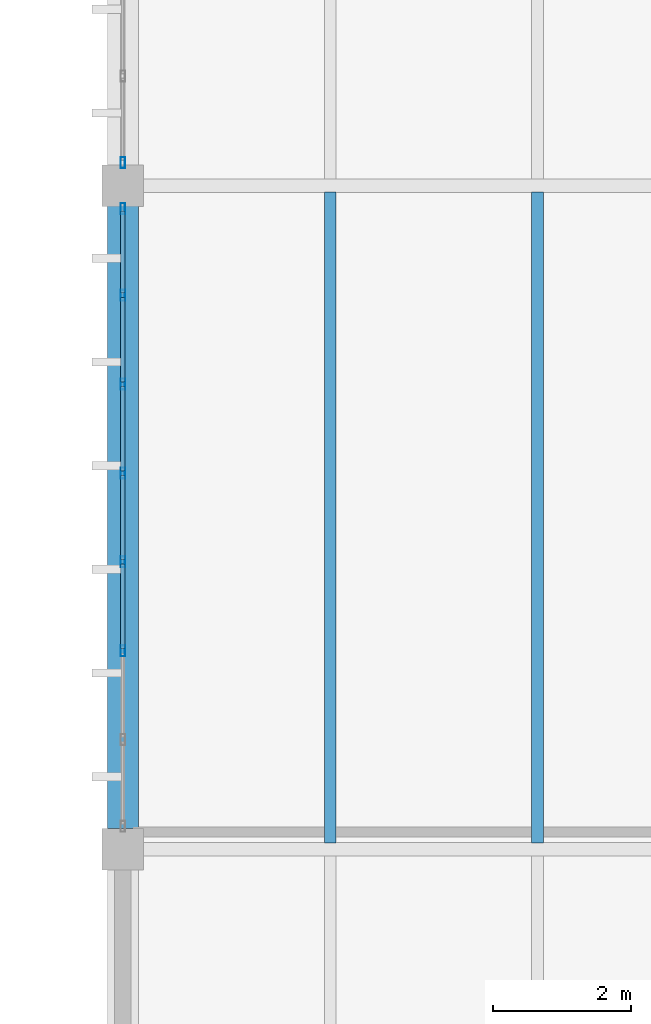
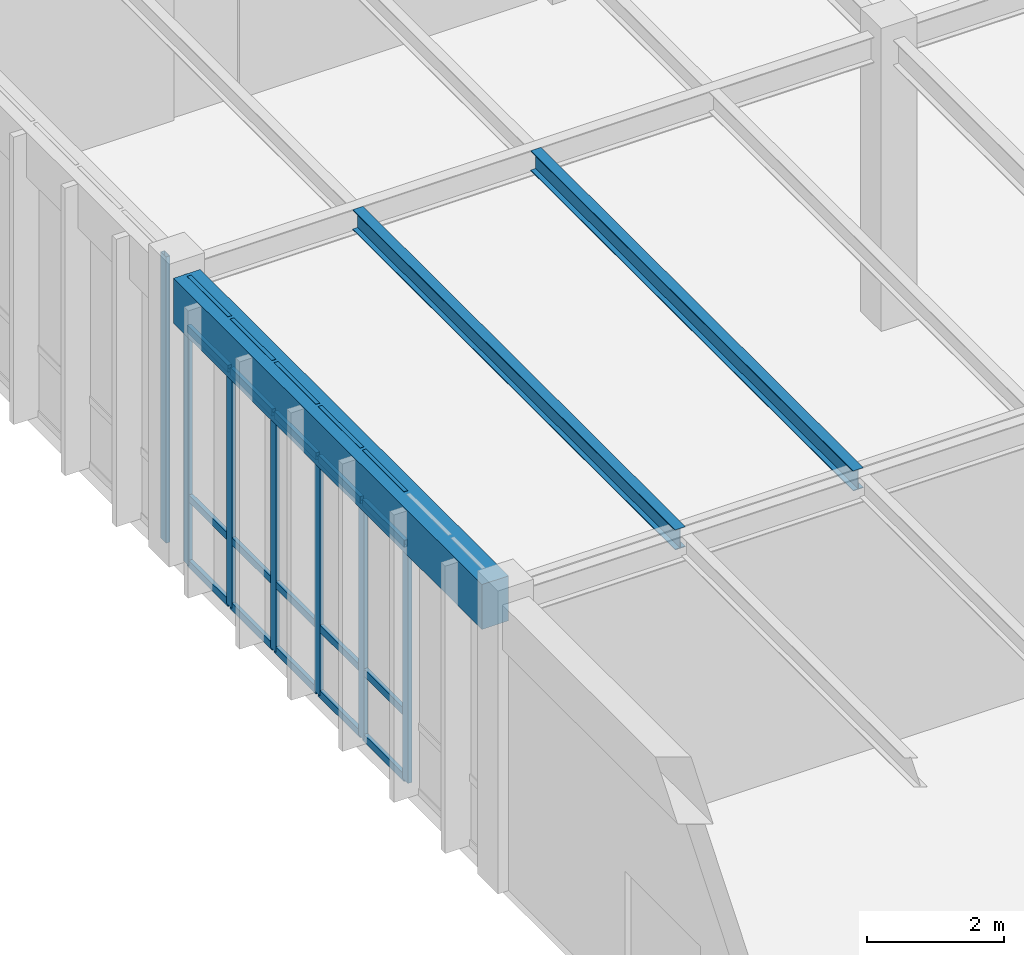
# One storey, part 115 of 188: 27 members, 3 beams, 2 elements without a shape of their own.
"""IFC4 building model written with IfcOpenShell, lengths in metres."""

from ifc_helpers import new_model, si_unit, direction, frame, origin, origin_2d, place, context, subcontext, project, spatial, rectangle, hollow_rectangle, i_section, extrude, material, layer, layer_set, material_profile, profile_set, type_object, element, aggregate, save


model = new_model("IFC4")

# Units and contexts
model_context = context("Model", 3, precision=1e-05, world=origin(), true_north=direction((0.0, 1.0)))
body_context = subcontext(model_context, "Body", "Model", "MODEL_VIEW")
ifc_project = project(units=[si_unit("LENGTHUNIT", "METRE"), si_unit("AREAUNIT", "SQUARE_METRE"), si_unit("VOLUMEUNIT", "CUBIC_METRE"), si_unit("PLANEANGLEUNIT", "RADIAN"), si_unit("MASSUNIT", "GRAM", prefix="KILO")], contexts=[model_context])

# Site, building, storey
site_placement = place(None, origin())
site = spatial("IfcSite", under=ifc_project, at=site_placement, CompositionType="ELEMENT")
building_placement = place(site_placement, origin())
building = spatial("IfcBuilding", under=site, at=building_placement, Name="Pandanus Reach Market Hall", CompositionType="ELEMENT")
storey_placement = place(building_placement, origin())
storey = spatial("IfcBuildingStorey", under=building, at=storey_placement, Name="L00", CompositionType="ELEMENT", Elevation=0.0)

# Beam
ifc_material_1 = material(Name="Concrete N40 (40 MPa)", Category="concrete")
ifc_material_profile_1 = material_profile(ifc_material_1, rectangle(XDim=0.449951171875, YDim=0.800048828125, at=origin_2d()), Name="RC450x800", Category="LoadBearing")
ifc_profile_set_1 = profile_set([ifc_material_profile_1], Name="Concrete N40 (40 MPa)")
beam_type_1 = type_object("IfcBeamType", Name="BM-RC450-E", PredefinedType="SPANDREL", material=ifc_profile_set_1)
beam_placement = place(storey_placement, frame((144.0, 77.097900390625, 4.72509765625), z_axis=(0.0, 1.0, 0.0), x_axis=(-1.0, 0.0, 0.0)))
element("IfcBeam", 1, at=beam_placement, inside=storey, type_object=beam_type_1, Name="Framing beam BM-RC450-E L00.196", PredefinedType="SPANDREL", context=body_context, shape_type="SweptSolid", body=[
    extrude(rectangle(XDim=0.449951171875, YDim=0.800048828125, at=origin_2d()), origin(), (0.0, 0.0, 1.0), 9.004150390625),
])

# Curtain wall, members
ifc_material_2 = material(Name="Bronze anodised aluminium and low-E glass", Category="aluminium")
ifc_layer = layer(ifc_material_2, 0.159912109375, Name="CW-26")
ifc_layer_set = layer_set([ifc_layer], Name="Bronze anodised aluminium and low-E glass")
curtain_wall_type = type_object("IfcCurtainWallType", Name="CW-26", PredefinedType="NOTDEFINED", material=ifc_layer_set)
curtain_wall_1_placement = place(storey_placement, origin())
curtain_wall_1 = element("IfcCurtainWall", 2, at=curtain_wall_1_placement, inside=storey, type_object=curtain_wall_type, Name="Glazed curtain wall CW-26 CW-0080", PredefinedType="NOTDEFINED")
ifc_material_3 = material(Name="Bronze anodised aluminium", Category="aluminium")
ifc_material_profile_2 = material_profile(ifc_material_3, hollow_rectangle(XDim=0.06494140625, YDim=0.159912109375, WallThickness=0.00390625, at=origin_2d()), Name="ALU65x160", Category="LoadBearing")
ifc_profile_set_2 = profile_set([ifc_material_profile_2], Name="Bronze anodised aluminium")
member_type_1 = type_object("IfcMemberType", Name="CW-M1", PredefinedType="MULLION", material=ifc_profile_set_2)
member_1_placement = place(storey_placement, frame((144.0, 79.67138671875, 0.0), z_axis=(0.0, 0.0, 1.0), x_axis=(-1.0, 0.0, 0.0)))
member_1 = element("IfcMember", 3, at=member_1_placement, type_object=member_type_1, Name="CW-26 mullion 3", PredefinedType="MULLION", context=body_context, shape_type="SweptSolid", body=[
    extrude(hollow_rectangle(XDim=0.06494140625, YDim=0.159912109375, WallThickness=0.00390625, at=origin_2d()), origin(), (0.0, 0.0, 1.0), 5.10009765625),
])
member_2_placement = place(storey_placement, frame((144.0, 80.95703125, 0.0), z_axis=(0.0, 0.0, 1.0), x_axis=(-1.0, 0.0, 0.0)))
member_2 = element("IfcMember", 4, at=member_2_placement, type_object=member_type_1, Name="CW-26 mullion 4", PredefinedType="MULLION", context=body_context, shape_type="SweptSolid", body=[
    extrude(hollow_rectangle(XDim=0.06494140625, YDim=0.159912109375, WallThickness=0.00390625, at=origin_2d()), origin(), (0.0, 0.0, 1.0), 5.10009765625),
])
member_3_placement = place(storey_placement, frame((144.0, 82.242919921875, 0.0), z_axis=(0.0, 0.0, 1.0), x_axis=(-1.0, 0.0, 0.0)))
member_3 = element("IfcMember", 5, at=member_3_placement, type_object=member_type_1, Name="CW-26 mullion 5", PredefinedType="MULLION", context=body_context, shape_type="SweptSolid", body=[
    extrude(hollow_rectangle(XDim=0.06494140625, YDim=0.159912109375, WallThickness=0.00390625, at=origin_2d()), origin(), (0.0, 0.0, 1.0), 5.10009765625),
])
member_4_placement = place(storey_placement, frame((144.0, 83.528564453125, 0.0), z_axis=(0.0, 0.0, 1.0), x_axis=(-1.0, 0.0, 0.0)))
member_4 = element("IfcMember", 6, at=member_4_placement, type_object=member_type_1, Name="CW-26 mullion 6", PredefinedType="MULLION", context=body_context, shape_type="SweptSolid", body=[
    extrude(hollow_rectangle(XDim=0.06494140625, YDim=0.159912109375, WallThickness=0.00390625, at=origin_2d()), origin(), (0.0, 0.0, 1.0), 5.10009765625),
])
member_5_placement = place(storey_placement, frame((144.0, 84.814208984375, 0.0), z_axis=(0.0, 0.0, 1.0), x_axis=(-1.0, 0.0, 0.0)))
member_5 = element("IfcMember", 7, at=member_5_placement, type_object=member_type_1, Name="CW-26 mullion 7", PredefinedType="MULLION", context=body_context, shape_type="SweptSolid", body=[
    extrude(hollow_rectangle(XDim=0.06494140625, YDim=0.159912109375, WallThickness=0.00390625, at=origin_2d()), origin(), (0.0, 0.0, 1.0), 5.10009765625),
])
member_6_placement = place(storey_placement, frame((144.0, 86.0673828125, 0.0), z_axis=(0.0, 0.0, 1.0), x_axis=(-1.0, 0.0, 0.0)))
member_6 = element("IfcMember", 8, at=member_6_placement, type_object=member_type_1, Name="CW-26 mullion 8", PredefinedType="MULLION", context=body_context, shape_type="SweptSolid", body=[
    extrude(hollow_rectangle(XDim=0.06494140625, YDim=0.159912109375, WallThickness=0.00390625, at=origin_2d()), origin(), (0.0, 0.0, 1.0), 5.10009765625),
])

# Curtain wall, member
curtain_wall_2_placement = place(storey_placement, origin())
curtain_wall_2 = element("IfcCurtainWall", 9, at=curtain_wall_2_placement, inside=storey, type_object=curtain_wall_type, Name="Glazed curtain wall CW-26 CW-0081", PredefinedType="NOTDEFINED")
member_7_placement = place(storey_placement, frame((144.0, 86.732421875, 0.0), z_axis=(0.0, 0.0, 1.0), x_axis=(-1.0, 0.0, 0.0)))
member_7 = element("IfcMember", 10, at=member_7_placement, type_object=member_type_1, Name="CW-26 mullion 1", PredefinedType="MULLION", context=body_context, shape_type="SweptSolid", body=[
    extrude(hollow_rectangle(XDim=0.06494140625, YDim=0.159912109375, WallThickness=0.00390625, at=origin_2d()), origin(), (0.0, 0.0, 1.0), 5.10009765625),
])
aggregate(curtain_wall_2, [member_7])

# Member
ifc_material_profile_3 = material_profile(ifc_material_3, hollow_rectangle(XDim=0.06494140625, YDim=0.1298828125, WallThickness=0.00390625, at=origin_2d()), Name="ALU65x130", Category="LoadBearing")
ifc_profile_set_3 = profile_set([ifc_material_profile_3], Name="Bronze anodised aluminium")
member_type_2 = type_object("IfcMemberType", Name="CW-T1", PredefinedType="USERDEFINED", material=ifc_profile_set_3)
member_8_placement = place(storey_placement, frame((144.0, 79.703857421875, 0.032470703125), z_axis=(0.0, 1.0, 0.0), x_axis=(-1.0, 0.0, 0.0)))
member_8 = element("IfcMember", 11, at=member_8_placement, type_object=member_type_2, Name="CW-26 transom 3.1", ObjectType="TRANSOM", PredefinedType="USERDEFINED", context=body_context, shape_type="SweptSolid", body=[
    extrude(hollow_rectangle(XDim=0.06494140625, YDim=0.1298828125, WallThickness=0.00390625, at=origin_2d()), origin(), (0.0, 0.0, 1.0), 1.220703125),
])

member_9_placement = place(storey_placement, frame((144.0, 79.703857421875, 1.199951171875), z_axis=(0.0, 1.0, 0.0), x_axis=(-1.0, 0.0, 0.0)))
member_9 = element("IfcMember", 12, at=member_9_placement, type_object=member_type_2, Name="CW-26 transom 3.2", ObjectType="TRANSOM", PredefinedType="USERDEFINED", context=body_context, shape_type="SweptSolid", body=[
    extrude(hollow_rectangle(XDim=0.06494140625, YDim=0.1298828125, WallThickness=0.00390625, at=origin_2d()), origin(), (0.0, 0.0, 1.0), 1.220703125),
])

member_10_placement = place(storey_placement, frame((144.0, 79.703857421875, 4.199951171875), z_axis=(0.0, 1.0, 0.0), x_axis=(-1.0, 0.0, 0.0)))
member_10 = element("IfcMember", 13, at=member_10_placement, type_object=member_type_2, Name="CW-26 transom 3.3", ObjectType="TRANSOM", PredefinedType="USERDEFINED", context=body_context, shape_type="SweptSolid", body=[
    extrude(hollow_rectangle(XDim=0.06494140625, YDim=0.1298828125, WallThickness=0.00390625, at=origin_2d()), origin(), (0.0, 0.0, 1.0), 1.220703125),
])

member_11_placement = place(storey_placement, frame((144.0, 79.703857421875, 5.0673828125), z_axis=(0.0, 1.0, 0.0), x_axis=(-1.0, 0.0, 0.0)))
member_11 = element("IfcMember", 14, at=member_11_placement, type_object=member_type_2, Name="CW-26 transom 3.4", ObjectType="TRANSOM", PredefinedType="USERDEFINED", context=body_context, shape_type="SweptSolid", body=[
    extrude(hollow_rectangle(XDim=0.06494140625, YDim=0.1298828125, WallThickness=0.00390625, at=origin_2d()), origin(), (0.0, 0.0, 1.0), 1.220703125),
])

member_12_placement = place(storey_placement, frame((144.0, 80.98974609375, 0.032470703125), z_axis=(0.0, 1.0, 0.0), x_axis=(-1.0, 0.0, 0.0)))
member_12 = element("IfcMember", 15, at=member_12_placement, type_object=member_type_2, Name="CW-26 transom 4.1", ObjectType="TRANSOM", PredefinedType="USERDEFINED", context=body_context, shape_type="SweptSolid", body=[
    extrude(hollow_rectangle(XDim=0.06494140625, YDim=0.1298828125, WallThickness=0.00390625, at=origin_2d()), origin(), (0.0, 0.0, 1.0), 1.220703125),
])

member_13_placement = place(storey_placement, frame((144.0, 80.98974609375, 1.199951171875), z_axis=(0.0, 1.0, 0.0), x_axis=(-1.0, 0.0, 0.0)))
member_13 = element("IfcMember", 16, at=member_13_placement, type_object=member_type_2, Name="CW-26 transom 4.2", ObjectType="TRANSOM", PredefinedType="USERDEFINED", context=body_context, shape_type="SweptSolid", body=[
    extrude(hollow_rectangle(XDim=0.06494140625, YDim=0.1298828125, WallThickness=0.00390625, at=origin_2d()), origin(), (0.0, 0.0, 1.0), 1.220703125),
])

member_14_placement = place(storey_placement, frame((144.0, 80.98974609375, 4.199951171875), z_axis=(0.0, 1.0, 0.0), x_axis=(-1.0, 0.0, 0.0)))
member_14 = element("IfcMember", 17, at=member_14_placement, type_object=member_type_2, Name="CW-26 transom 4.3", ObjectType="TRANSOM", PredefinedType="USERDEFINED", context=body_context, shape_type="SweptSolid", body=[
    extrude(hollow_rectangle(XDim=0.06494140625, YDim=0.1298828125, WallThickness=0.00390625, at=origin_2d()), origin(), (0.0, 0.0, 1.0), 1.220703125),
])

member_15_placement = place(storey_placement, frame((144.0, 80.98974609375, 5.0673828125), z_axis=(0.0, 1.0, 0.0), x_axis=(-1.0, 0.0, 0.0)))
member_15 = element("IfcMember", 18, at=member_15_placement, type_object=member_type_2, Name="CW-26 transom 4.4", ObjectType="TRANSOM", PredefinedType="USERDEFINED", context=body_context, shape_type="SweptSolid", body=[
    extrude(hollow_rectangle(XDim=0.06494140625, YDim=0.1298828125, WallThickness=0.00390625, at=origin_2d()), origin(), (0.0, 0.0, 1.0), 1.220703125),
])

member_16_placement = place(storey_placement, frame((144.0, 82.275390625, 0.032470703125), z_axis=(0.0, 1.0, 0.0), x_axis=(-1.0, 0.0, 0.0)))
member_16 = element("IfcMember", 19, at=member_16_placement, type_object=member_type_2, Name="CW-26 transom 5.1", ObjectType="TRANSOM", PredefinedType="USERDEFINED", context=body_context, shape_type="SweptSolid", body=[
    extrude(hollow_rectangle(XDim=0.06494140625, YDim=0.1298828125, WallThickness=0.00390625, at=origin_2d()), origin(), (0.0, 0.0, 1.0), 1.220703125),
])

member_17_placement = place(storey_placement, frame((144.0, 82.275390625, 1.199951171875), z_axis=(0.0, 1.0, 0.0), x_axis=(-1.0, 0.0, 0.0)))
member_17 = element("IfcMember", 20, at=member_17_placement, type_object=member_type_2, Name="CW-26 transom 5.2", ObjectType="TRANSOM", PredefinedType="USERDEFINED", context=body_context, shape_type="SweptSolid", body=[
    extrude(hollow_rectangle(XDim=0.06494140625, YDim=0.1298828125, WallThickness=0.00390625, at=origin_2d()), origin(), (0.0, 0.0, 1.0), 1.220703125),
])

member_18_placement = place(storey_placement, frame((144.0, 82.275390625, 4.199951171875), z_axis=(0.0, 1.0, 0.0), x_axis=(-1.0, 0.0, 0.0)))
member_18 = element("IfcMember", 21, at=member_18_placement, type_object=member_type_2, Name="CW-26 transom 5.3", ObjectType="TRANSOM", PredefinedType="USERDEFINED", context=body_context, shape_type="SweptSolid", body=[
    extrude(hollow_rectangle(XDim=0.06494140625, YDim=0.1298828125, WallThickness=0.00390625, at=origin_2d()), origin(), (0.0, 0.0, 1.0), 1.220703125),
])

member_19_placement = place(storey_placement, frame((144.0, 82.275390625, 5.0673828125), z_axis=(0.0, 1.0, 0.0), x_axis=(-1.0, 0.0, 0.0)))
member_19 = element("IfcMember", 22, at=member_19_placement, type_object=member_type_2, Name="CW-26 transom 5.4", ObjectType="TRANSOM", PredefinedType="USERDEFINED", context=body_context, shape_type="SweptSolid", body=[
    extrude(hollow_rectangle(XDim=0.06494140625, YDim=0.1298828125, WallThickness=0.00390625, at=origin_2d()), origin(), (0.0, 0.0, 1.0), 1.220703125),
])

member_20_placement = place(storey_placement, frame((144.0, 83.56103515625, 0.032470703125), z_axis=(0.0, 1.0, 0.0), x_axis=(-1.0, 0.0, 0.0)))
member_20 = element("IfcMember", 23, at=member_20_placement, type_object=member_type_2, Name="CW-26 transom 6.1", ObjectType="TRANSOM", PredefinedType="USERDEFINED", context=body_context, shape_type="SweptSolid", body=[
    extrude(hollow_rectangle(XDim=0.06494140625, YDim=0.1298828125, WallThickness=0.00390625, at=origin_2d()), origin(), (0.0, 0.0, 1.0), 1.220703125),
])

member_21_placement = place(storey_placement, frame((144.0, 83.56103515625, 1.199951171875), z_axis=(0.0, 1.0, 0.0), x_axis=(-1.0, 0.0, 0.0)))
member_21 = element("IfcMember", 24, at=member_21_placement, type_object=member_type_2, Name="CW-26 transom 6.2", ObjectType="TRANSOM", PredefinedType="USERDEFINED", context=body_context, shape_type="SweptSolid", body=[
    extrude(hollow_rectangle(XDim=0.06494140625, YDim=0.1298828125, WallThickness=0.00390625, at=origin_2d()), origin(), (0.0, 0.0, 1.0), 1.220703125),
])

member_22_placement = place(storey_placement, frame((144.0, 83.56103515625, 4.199951171875), z_axis=(0.0, 1.0, 0.0), x_axis=(-1.0, 0.0, 0.0)))
member_22 = element("IfcMember", 25, at=member_22_placement, type_object=member_type_2, Name="CW-26 transom 6.3", ObjectType="TRANSOM", PredefinedType="USERDEFINED", context=body_context, shape_type="SweptSolid", body=[
    extrude(hollow_rectangle(XDim=0.06494140625, YDim=0.1298828125, WallThickness=0.00390625, at=origin_2d()), origin(), (0.0, 0.0, 1.0), 1.220703125),
])

member_23_placement = place(storey_placement, frame((144.0, 83.56103515625, 5.0673828125), z_axis=(0.0, 1.0, 0.0), x_axis=(-1.0, 0.0, 0.0)))
member_23 = element("IfcMember", 26, at=member_23_placement, type_object=member_type_2, Name="CW-26 transom 6.4", ObjectType="TRANSOM", PredefinedType="USERDEFINED", context=body_context, shape_type="SweptSolid", body=[
    extrude(hollow_rectangle(XDim=0.06494140625, YDim=0.1298828125, WallThickness=0.00390625, at=origin_2d()), origin(), (0.0, 0.0, 1.0), 1.220703125),
])

member_24_placement = place(storey_placement, frame((144.0, 84.8466796875, 0.032470703125), z_axis=(0.0, 1.0, 0.0), x_axis=(-1.0, 0.0, 0.0)))
member_24 = element("IfcMember", 27, at=member_24_placement, type_object=member_type_2, Name="CW-26 transom 7.1", ObjectType="TRANSOM", PredefinedType="USERDEFINED", context=body_context, shape_type="SweptSolid", body=[
    extrude(hollow_rectangle(XDim=0.06494140625, YDim=0.1298828125, WallThickness=0.00390625, at=origin_2d()), origin(), (0.0, 0.0, 1.0), 1.188232421875),
])

member_25_placement = place(storey_placement, frame((144.0, 84.8466796875, 1.199951171875), z_axis=(0.0, 1.0, 0.0), x_axis=(-1.0, 0.0, 0.0)))
member_25 = element("IfcMember", 28, at=member_25_placement, type_object=member_type_2, Name="CW-26 transom 7.2", ObjectType="TRANSOM", PredefinedType="USERDEFINED", context=body_context, shape_type="SweptSolid", body=[
    extrude(hollow_rectangle(XDim=0.06494140625, YDim=0.1298828125, WallThickness=0.00390625, at=origin_2d()), origin(), (0.0, 0.0, 1.0), 1.188232421875),
])

member_26_placement = place(storey_placement, frame((144.0, 84.8466796875, 4.199951171875), z_axis=(0.0, 1.0, 0.0), x_axis=(-1.0, 0.0, 0.0)))
member_26 = element("IfcMember", 29, at=member_26_placement, type_object=member_type_2, Name="CW-26 transom 7.3", ObjectType="TRANSOM", PredefinedType="USERDEFINED", context=body_context, shape_type="SweptSolid", body=[
    extrude(hollow_rectangle(XDim=0.06494140625, YDim=0.1298828125, WallThickness=0.00390625, at=origin_2d()), origin(), (0.0, 0.0, 1.0), 1.188232421875),
])

member_27_placement = place(storey_placement, frame((144.0, 84.8466796875, 5.0673828125), z_axis=(0.0, 1.0, 0.0), x_axis=(-1.0, 0.0, 0.0)))
member_27 = element("IfcMember", 30, at=member_27_placement, type_object=member_type_2, Name="CW-26 transom 7.4", ObjectType="TRANSOM", PredefinedType="USERDEFINED", context=body_context, shape_type="SweptSolid", body=[
    extrude(hollow_rectangle(XDim=0.06494140625, YDim=0.1298828125, WallThickness=0.00390625, at=origin_2d()), origin(), (0.0, 0.0, 1.0), 1.188232421875),
])

aggregate(curtain_wall_1, [member_1, member_2, member_3, member_4, member_5, member_6, member_8, member_9, member_10, member_11, member_12, member_13, member_14, member_15, member_16, member_17, member_18, member_19, member_20, member_21, member_22, member_23, member_24, member_25, member_26, member_27])

# Beams
ifc_material_4 = material(Name="Steel Grade 350 (350 MPa)", Category="steel")
ifc_material_profile_4 = material_profile(ifc_material_4, i_section(OverallWidth=0.172119140625, OverallDepth=0.35888671875, WebThickness=0.008056640625, FlangeThickness=0.012939453125, at=origin_2d()), Name="360UB56.7", Category="LoadBearing")
ifc_profile_set_4 = profile_set([ifc_material_profile_4], Name="Steel Grade 350 (350 MPa)")
beam_type_2 = type_object("IfcBeamType", Name="JS-UB360H-I", PredefinedType="JOIST", material=ifc_profile_set_4)
for number, where, z_axis, x_axis, name in (
    (31, (147.0, 76.8935546875, 4.945068359375), (0.0, 1.0, 0.0), (-1.0, 0.0, 0.0), "Secondary joist JS-UB360H-I L00.249"),
    (32, (150.0, 76.8935546875, 4.945068359375), (0.0, 1.0, 0.0), (-1.0, 0.0, 0.0), "Secondary joist JS-UB360H-I L00.250"),
):
    element("IfcBeam", number, at=place(storey_placement, frame(where, z_axis=z_axis, x_axis=x_axis)), inside=storey, type_object=beam_type_2, Name=name, PredefinedType="JOIST", context=body_context, shape_type="SweptSolid", body=[
        extrude(i_section(OverallWidth=0.172119140625, OverallDepth=0.35888671875, WebThickness=0.008056640625, FlangeThickness=0.012939453125, at=origin_2d()), origin(), (0.0, 0.0, 1.0), 9.412841796875),
    ])

save(model, "model.ifc")
